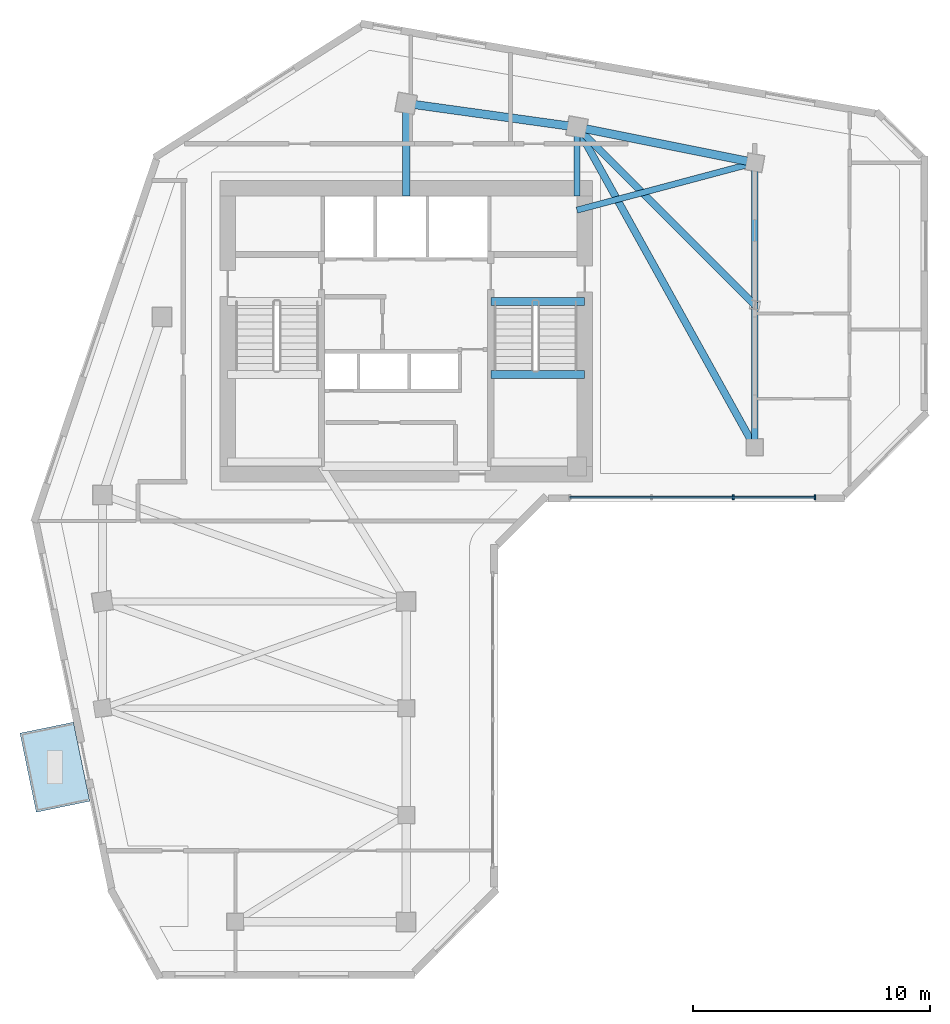
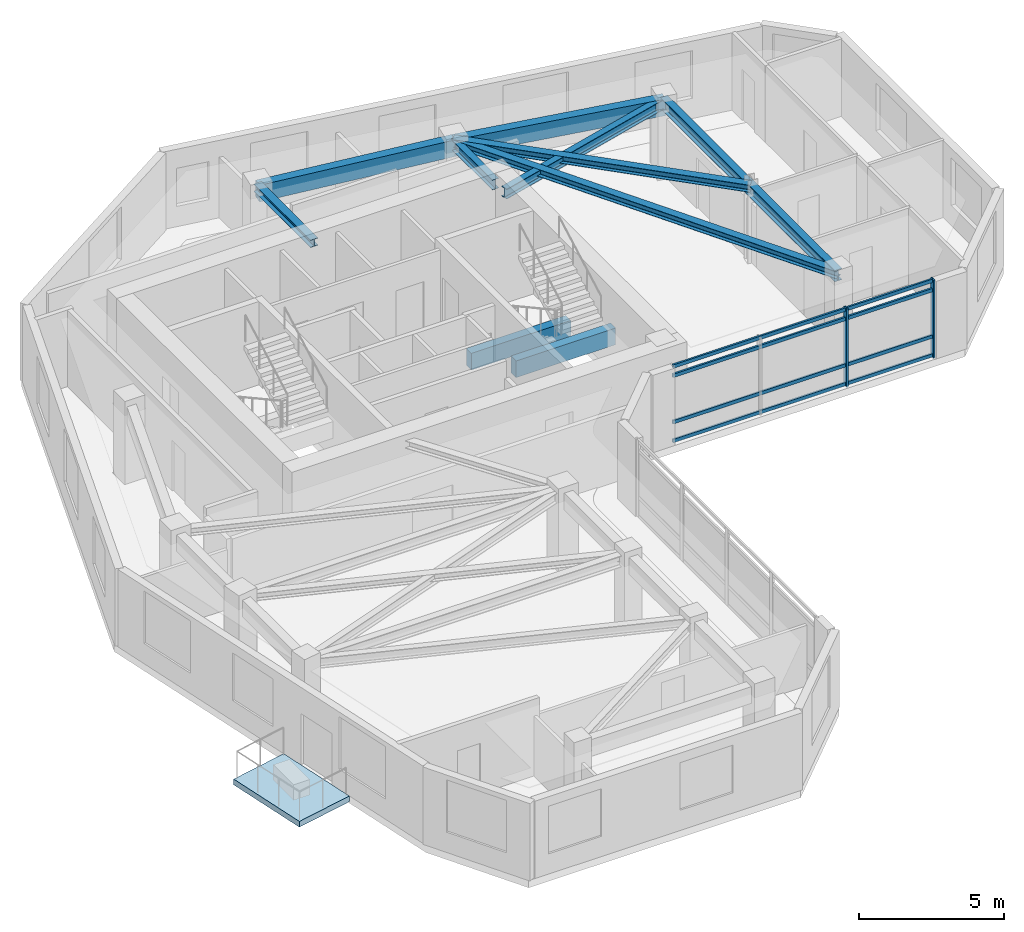
# One storey, part 2 of 9: 10 beams, 6 members, 1 slab, 1 element without a shape of its own.
"""IFC4 building model written with IfcOpenShell, lengths in metres."""

from ifc_helpers import new_model, si_unit, direction, frame, origin, origin_2d, place, context, subcontext, project, spatial, polyline, rectangle, i_section, outline, extrude, source, transform, mapped, material, layer, layer_set, material_profile, profile_set, type_object, element, aggregate, save


model = new_model("IFC4")

# Units and contexts
model_context = context("Model", 3, precision=1e-05, world=origin(), true_north=direction((0.0, 1.0)))
body_context = subcontext(model_context, "Body", "Model", "MODEL_VIEW")
ifc_project = project(units=[si_unit("LENGTHUNIT", "METRE"), si_unit("AREAUNIT", "SQUARE_METRE"), si_unit("VOLUMEUNIT", "CUBIC_METRE"), si_unit("PLANEANGLEUNIT", "RADIAN"), si_unit("MASSUNIT", "GRAM", prefix="KILO")], contexts=[model_context])

# Site, building, storey
site_placement = place(None, origin())
site = spatial("IfcSite", under=ifc_project, at=site_placement, CompositionType="ELEMENT")
building_placement = place(site_placement, origin())
building = spatial("IfcBuilding", under=site, at=building_placement, Name="Calvemar Wedge Station Tower", CompositionType="ELEMENT")
storey_placement = place(building_placement, frame((0.0, 0.0, 211.39990234375)))
storey = spatial("IfcBuildingStorey", under=building, at=storey_placement, Name="L53", CompositionType="ELEMENT", Elevation=211.39990234375)

# Beams
ifc_material_1 = material(Name="Structural steel ASTM A572 Grade 50", Category="steel")
ifc_material_profile_1 = material_profile(ifc_material_1, i_section(OverallWidth=0.304931640625, OverallDepth=0.30810546875, WebThickness=0.010009765625, FlangeThickness=0.015380859375, FilletRadius=0.014892578125, at=origin_2d()), Name="W310x97")
ifc_profile_set_1 = profile_set([ifc_material_profile_1], Name="Structural steel ASTM A572 Grade 50")
beam_type_1 = type_object("IfcBeamType", Name="BM-J6-W310", PredefinedType="JOIST", material=ifc_profile_set_1)
shared_shape_1 = source(origin(), body_context, "Body", "SweptSolid", [
    extrude(i_section(OverallWidth=0.304931640625, OverallDepth=0.30810546875, WebThickness=0.010009765625, FlangeThickness=0.015380859375, FilletRadius=0.014892578125, at=origin_2d()), origin(), (0.0, 0.0, 1.0), 15.443359375),
])
beam_1_placement = place(storey_placement, frame((31.0, 48.5, 3.09619140625), z_axis=(0.485642931179, -0.874157276122, 0.0), x_axis=(0.874157276122, 0.485642931179, 0.0)))
element("IfcBeam", 1, at=beam_1_placement, inside=storey, type_object=beam_type_1, Name="Storey L53 Floor Beam T-N2-T-NL2", PredefinedType="JOIST", context=body_context, shape_type="MappedRepresentation", body=[
    mapped(shared_shape_1, transform((0.0, 0.0, 0.0), scale=1.0)),
])
ifc_material_profile_2 = material_profile(ifc_material_1, i_section(OverallWidth=0.260986328125, OverallDepth=0.419921875, WebThickness=0.01171875, FlangeThickness=0.019287109375, FilletRadius=0.012939453125, at=origin_2d()), Name="W410x114")
ifc_profile_set_2 = profile_set([ifc_material_profile_2], Name="Structural steel ASTM A572 Grade 50")
beam_type_2 = type_object("IfcBeamType", Name="BM-J2-W410H", PredefinedType="JOIST", material=ifc_profile_set_2)
shared_shape_2 = source(origin(), body_context, "Body", "SweptSolid", [
    extrude(i_section(OverallWidth=0.260986328125, OverallDepth=0.419921875, WebThickness=0.01171875, FlangeThickness=0.019287109375, FilletRadius=0.012939453125, at=origin_2d()), origin(), (0.0, 0.0, 1.0), 7.76220703125),
])
beam_2_placement = place(storey_placement, frame((31.0, 45.0, 3.0400390625), z_axis=(0.966234939601, 0.25766265056, 0.0), x_axis=(-0.25766265056, 0.966234939601, 0.0)))
element("IfcBeam", 2, at=beam_2_placement, inside=storey, type_object=beam_type_2, Name="Storey L53 Core-to-Column Joist CJ-E2", PredefinedType="JOIST", context=body_context, shape_type="MappedRepresentation", body=[
    mapped(shared_shape_2, transform((0.0, 0.0, 0.0), scale=1.0)),
])
shared_shape_3 = source(origin(), body_context, "Body", "SweptSolid", [
    extrude(i_section(OverallWidth=0.304931640625, OverallDepth=0.30810546875, WebThickness=0.010009765625, FlangeThickness=0.015380859375, FilletRadius=0.014892578125, at=origin_2d()), origin(), (0.0, 0.0, 1.0), 3.89990234375),
])
beam_3_placement = place(storey_placement, frame((23.800048828125, 45.60009765625, 3.09619140625), z_axis=(0.0, 1.0, 0.0), x_axis=(-1.0, 0.0, 0.0)))
element("IfcBeam", 3, at=beam_3_placement, inside=storey, type_object=beam_type_1, Name="Storey L53 Core-to-Column Joist CJ-N1", PredefinedType="JOIST", context=body_context, shape_type="MappedRepresentation", body=[
    mapped(shared_shape_3, transform((0.0, 0.0, 0.0), scale=1.0)),
])
shared_shape_4 = source(origin(), body_context, "Body", "SweptSolid", [
    extrude(i_section(OverallWidth=0.260986328125, OverallDepth=0.419921875, WebThickness=0.01171875, FlangeThickness=0.019287109375, FilletRadius=0.012939453125, at=origin_2d()), origin(), (0.0, 0.0, 1.0), 2.89990234375),
])
beam_4_placement = place(storey_placement, frame((31.0, 45.60009765625, 3.0400390625), z_axis=(0.0, 1.0, 0.0), x_axis=(-1.0, 0.0, 0.0)))
element("IfcBeam", 4, at=beam_4_placement, inside=storey, type_object=beam_type_2, Name="Storey L53 Core-to-Column Joist CJ-N2", PredefinedType="JOIST", context=body_context, shape_type="MappedRepresentation", body=[
    mapped(shared_shape_4, transform((0.0, 0.0, 0.0), scale=1.0)),
])
shared_shape_5 = source(origin(), body_context, "Body", "SweptSolid", [
    extrude(i_section(OverallWidth=0.304931640625, OverallDepth=0.30810546875, WebThickness=0.010009765625, FlangeThickness=0.015380859375, FilletRadius=0.014892578125, at=origin_2d()), origin(), (0.0, 0.0, 1.0), 10.606689453125),
])
beam_5_placement = place(storey_placement, frame((38.5, 41.0, 3.09619140625), z_axis=(-0.707106781187, 0.707106781187, 0.0), x_axis=(-0.707106781187, -0.707106781187, 0.0)))
element("IfcBeam", 5, at=beam_5_placement, inside=storey, type_object=beam_type_1, Name="Storey L53 Floor Beam T-NTIP-B-T-N2", PredefinedType="JOIST", context=body_context, shape_type="MappedRepresentation", body=[
    mapped(shared_shape_5, transform((0.0, 0.0, 0.0), scale=1.0)),
])
ifc_material_2 = material(Name="Concrete C70", Category="concrete")
ifc_material_profile_3 = material_profile(ifc_material_2, rectangle(XDim=0.35009765625, YDim=0.699951171875, at=origin_2d()), Name="RC350x700")
ifc_profile_set_3 = profile_set([ifc_material_profile_3], Name="Concrete C70")
beam_type_3 = type_object("IfcBeamType", Name="BM-LN1-700", PredefinedType="LINTEL", material=ifc_profile_set_3)
shared_shape_6 = source(origin(), body_context, "Body", "SweptSolid", [
    extrude(rectangle(XDim=0.35009765625, YDim=0.699951171875, at=origin_2d()), origin(), (0.0, 0.0, 1.0), 3.954833984375),
])
for number, where, z_axis, x_axis, name in (
    (6, (27.3701171875, 41.14990234375, -0.349853515625), (1.0, 0.0, 0.0), (0.0, 1.0, 0.0), "Storey L53 Stair ST-C2 Landing Trimmer Beam"),
    (7, (27.3701171875, 38.070068359375, 1.2001953125), (1.0, 0.0, 0.0), (0.0, 1.0, 0.0), "Storey L53 Stair ST-C2 Half-Landing Beam 1B"),
):
    element("IfcBeam", number, at=place(storey_placement, frame(where, z_axis=z_axis, x_axis=x_axis)), inside=storey, type_object=beam_type_3, Name=name, PredefinedType="LINTEL", context=body_context, shape_type="MappedRepresentation", body=[
        mapped(shared_shape_6, transform((0.0, 0.0, 0.0), scale=1.0)),
    ])
ifc_material_3 = material(Name="Concrete C50", Category="concrete")
ifc_material_profile_4 = material_profile(ifc_material_3, rectangle(XDim=0.35009765625, YDim=0.699951171875, at=origin_2d()), Name="RC350x700")
ifc_profile_set_4 = profile_set([ifc_material_profile_4], Name="Concrete C50")
beam_type_4 = type_object("IfcBeamType", Name="BM-SP2-700", PredefinedType="SPANDREL", material=ifc_profile_set_4)
shared_shape_7 = source(origin(), body_context, "Body", "SweptSolid", [
    extrude(rectangle(XDim=0.35009765625, YDim=0.699951171875, at=origin_2d()), origin(), (0.0, 0.0, 1.0), 7.26904296875),
])
beam_6_placement = place(storey_placement, frame((23.800048828125, 49.5, 2.900146484375), z_axis=(0.990492146053, -0.13756928657, 0.0), x_axis=(0.13756928657, 0.990492146053, 0.0)))
element("IfcBeam", 8, at=beam_6_placement, inside=storey, type_object=beam_type_4, Name="Storey L53 Spandrel T-N1-T-N2", PredefinedType="SPANDREL", context=body_context, shape_type="MappedRepresentation", body=[
    mapped(shared_shape_7, transform((0.0, 0.0, 0.0), scale=1.0)),
])
shared_shape_8 = source(origin(), body_context, "Body", "SweptSolid", [
    extrude(rectangle(XDim=0.35009765625, YDim=0.699951171875, at=origin_2d()), origin(), (0.0, 0.0, 1.0), 7.6484375),
])
beam_7_placement = place(storey_placement, frame((31.0, 48.5, 2.900146484375), z_axis=(0.980580675691, -0.196116135138, 0.0), x_axis=(0.196116135138, 0.980580675691, 0.0)))
element("IfcBeam", 9, at=beam_7_placement, inside=storey, type_object=beam_type_4, Name="Storey L53 Spandrel T-N2-T-NU3", PredefinedType="SPANDREL", context=body_context, shape_type="MappedRepresentation", body=[
    mapped(shared_shape_8, transform((0.0, 0.0, 0.0), scale=1.0)),
])
ifc_material_profile_5 = material_profile(ifc_material_1, i_section(OverallWidth=0.283935546875, OverallDepth=0.47607421875, WebThickness=0.014892578125, FlangeThickness=0.02392578125, FilletRadius=0.014892578125, at=origin_2d()), Name="W460x158")
ifc_profile_set_5 = profile_set([ifc_material_profile_5], Name="Structural steel ASTM A572 Grade 50")
beam_type_5 = type_object("IfcBeamType", Name="BM-SB5-W460H", PredefinedType="BEAM", material=ifc_profile_set_5)
shared_shape_9 = source(origin(), body_context, "Body", "SweptSolid", [
    extrude(i_section(OverallWidth=0.283935546875, OverallDepth=0.47607421875, WebThickness=0.014892578125, FlangeThickness=0.02392578125, FilletRadius=0.014892578125, at=origin_2d()), origin(), (0.0, 0.0, 1.0), 12.0),
])
beam_8_placement = place(storey_placement, frame((38.5, 47.0, 3.01220703125), z_axis=(0.0, -1.0, 0.0), x_axis=(1.0, 0.0, 0.0)))
element("IfcBeam", 10, at=beam_8_placement, inside=storey, type_object=beam_type_5, Name="Storey L53 Floor Beam T-NU3-T-NL2", PredefinedType="BEAM", context=body_context, shape_type="MappedRepresentation", body=[
    mapped(shared_shape_9, transform((0.0, 0.0, 0.0), scale=1.0)),
])

# Curtain wall, members
ifc_material_4 = material(Name="Anodised aluminium 6063-T6", Category="aluminium")
curtain_wall_type = type_object("IfcCurtainWallType", Name="CW3", PredefinedType="NOTDEFINED", material=ifc_material_4)
curtain_wall_placement = place(storey_placement, origin())
curtain_wall = element("IfcCurtainWall", 11, at=curtain_wall_placement, inside=storey, type_object=curtain_wall_type, Name="Storey L53 CW3 Recessed Unitised Curtain Wall 6", PredefinedType="NOTDEFINED")
ifc_material_profile_6 = material_profile(ifc_material_4, rectangle(XDim=0.074951171875, YDim=0.2099609375, at=origin_2d()), Name="AL-MUL-75x210")
ifc_profile_set_6 = profile_set([ifc_material_profile_6], Name="Anodised aluminium 6063-T6")
member_type_1 = type_object("IfcMemberType", Name="CW3-MUL", PredefinedType="MULLION", material=ifc_profile_set_6)
shared_shape_10 = source(origin(), body_context, "Body", "SweptSolid", [
    extrude(rectangle(XDim=0.074951171875, YDim=0.2099609375, at=origin_2d()), origin(), (0.0, 0.0, 1.0), 3.2998046875),
])
member_1_placement = place(storey_placement, frame((37.592529296875, 32.902099609375, -0.0498046875), z_axis=(0.0, 0.0, 1.0), x_axis=(1.0, 0.0, 0.0)))
member_1 = element("IfcMember", 12, at=member_1_placement, type_object=member_type_1, Name="CW3 mullion 3", PredefinedType="MULLION", context=body_context, shape_type="MappedRepresentation", body=[
    mapped(shared_shape_10, transform((0.0, 0.0, 0.0), scale=1.0)),
])
member_2_placement = place(storey_placement, frame((41.037841796875, 32.902099609375, -0.0498046875), z_axis=(0.0, 0.0, 1.0), x_axis=(1.0, 0.0, 0.0)))
member_2 = element("IfcMember", 13, at=member_2_placement, type_object=member_type_1, Name="CW3 mullion 4", PredefinedType="MULLION", context=body_context, shape_type="MappedRepresentation", body=[
    mapped(shared_shape_10, transform((0.0, 0.0, 0.0), scale=1.0)),
])
ifc_material_profile_7 = material_profile(ifc_material_4, rectangle(XDim=0.074951171875, YDim=0.14501953125, at=origin_2d()), Name="AL-TRN-75x145")
ifc_profile_set_7 = profile_set([ifc_material_profile_7], Name="Anodised aluminium 6063-T6")
member_type_2 = type_object("IfcMemberType", Name="CW3-TRN", PredefinedType="USERDEFINED", material=ifc_profile_set_7)
shared_shape_11 = source(origin(), body_context, "Body", "SweptSolid", [
    extrude(rectangle(XDim=0.074951171875, YDim=0.14501953125, at=origin_2d()), origin(), (0.0, 0.0, 1.0), 10.3359375),
])
member_3_placement = place(storey_placement, frame((30.701904296875, 32.902099609375, 0.06005859375), z_axis=(1.0, 0.0, 0.0), x_axis=(0.0, 1.0, 0.0)))
member_3 = element("IfcMember", 14, at=member_3_placement, type_object=member_type_2, Name="CW3 transom 1", ObjectType="TRANSOM", PredefinedType="USERDEFINED", context=body_context, shape_type="MappedRepresentation", body=[
    mapped(shared_shape_11, transform((0.0, 0.0, 0.0), scale=1.0)),
])
member_4_placement = place(storey_placement, frame((30.701904296875, 32.902099609375, 0.85009765625), z_axis=(1.0, 0.0, 0.0), x_axis=(0.0, 1.0, 0.0)))
member_4 = element("IfcMember", 15, at=member_4_placement, type_object=member_type_2, Name="CW3 transom 2", ObjectType="TRANSOM", PredefinedType="USERDEFINED", context=body_context, shape_type="MappedRepresentation", body=[
    mapped(shared_shape_11, transform((0.0, 0.0, 0.0), scale=1.0)),
])
member_5_placement = place(storey_placement, frame((30.701904296875, 32.902099609375, 2.800048828125), z_axis=(1.0, 0.0, 0.0), x_axis=(0.0, 1.0, 0.0)))
member_5 = element("IfcMember", 16, at=member_5_placement, type_object=member_type_2, Name="CW3 transom 3", ObjectType="TRANSOM", PredefinedType="USERDEFINED", context=body_context, shape_type="MappedRepresentation", body=[
    mapped(shared_shape_11, transform((0.0, 0.0, 0.0), scale=1.0)),
])
member_6_placement = place(storey_placement, frame((30.701904296875, 32.902099609375, 3.190185546875), z_axis=(1.0, 0.0, 0.0), x_axis=(0.0, 1.0, 0.0)))
member_6 = element("IfcMember", 17, at=member_6_placement, type_object=member_type_2, Name="CW3 transom 4", ObjectType="TRANSOM", PredefinedType="USERDEFINED", context=body_context, shape_type="MappedRepresentation", body=[
    mapped(shared_shape_11, transform((0.0, 0.0, 0.0), scale=1.0)),
])
aggregate(curtain_wall, [member_1, member_2, member_3, member_4, member_5, member_6])

# Slab
ifc_material_5 = material(Name="Concrete C45", Category="concrete")
ifc_layer = layer(ifc_material_5, 0.239990234375)
ifc_layer_set = layer_set([ifc_layer], Name="Concrete C45")
slab_type = type_object("IfcSlabType", Name="SL-TERR-240", PredefinedType="FLOOR", material=ifc_layer_set)
slab_placement = place(storey_placement, frame((0.0, 0.0, -0.239990234375)))
element("IfcSlab", 18, at=slab_placement, inside=storey, type_object=slab_type, Name="Storey L53 Planted Spiral Terrace Slab", PredefinedType="FLOOR", context=body_context, shape_type="SweptSolid", body=[
    extrude(outline(polyline([(9.77392578125, 23.4150390625), (7.52197265625, 22.949951171875), (8.208984375, 19.6201171875), (10.4609375, 20.0849609375), (9.77392578125, 23.4150390625)])), origin(), (0.0, 0.0, 1.0), 0.239990234375),
])

save(model, "model.ifc")
